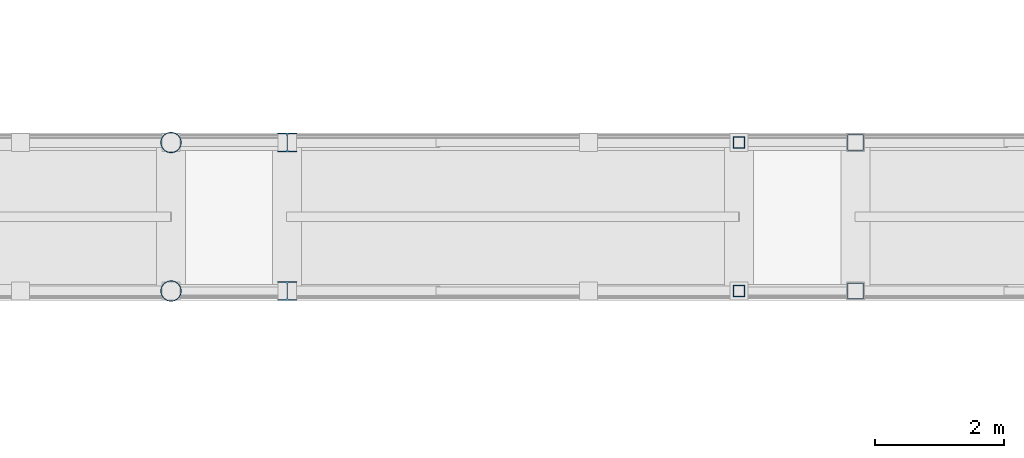
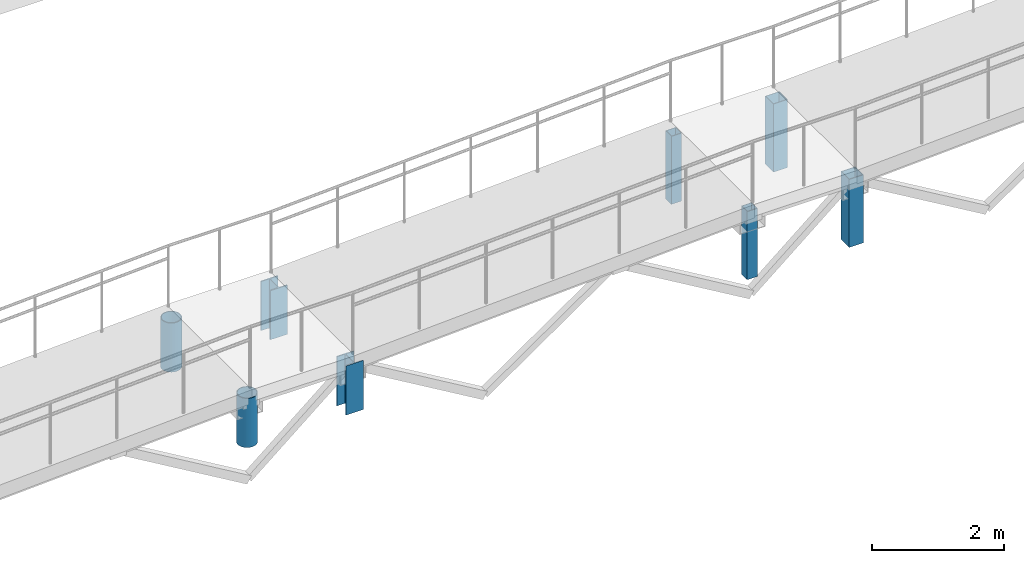
# One storey, part 2 of 41: 8 columns.
"""IFC4 building model written with IfcOpenShell, lengths in metres."""

from ifc_helpers import new_model, si_unit, direction, frame, origin, origin_2d, place, context, subcontext, project, spatial, hollow_rectangle, hollow_circle, i_section, extrude, material, material_profile, profile_set, type_object, element, save


model = new_model("IFC4")

# Units and contexts
model_context = context("Model", 3, precision=1e-05, world=origin(), true_north=direction((0.0, 1.0)))
body_context = subcontext(model_context, "Body", "Model", "MODEL_VIEW")
ifc_project = project(units=[si_unit("LENGTHUNIT", "METRE"), si_unit("AREAUNIT", "SQUARE_METRE"), si_unit("VOLUMEUNIT", "CUBIC_METRE"), si_unit("PLANEANGLEUNIT", "RADIAN"), si_unit("MASSUNIT", "GRAM", prefix="KILO")], contexts=[model_context])

# Site, building, storey
site_placement = place(None, origin())
site = spatial("IfcSite", under=ifc_project, at=site_placement, CompositionType="ELEMENT")
building_placement = place(site_placement, origin())
building = spatial("IfcBuilding", under=site, at=building_placement, Name="Malvenik Polytechnic", CompositionType="ELEMENT")
storey_placement = place(building_placement, frame((0.0, 0.0, 17.699951171875)))
storey = spatial("IfcBuildingStorey", under=building, at=storey_placement, Name="L04", CompositionType="ELEMENT", Elevation=17.699951171875)

# Columns
ifc_material_1 = material(Name="Steel S355J2H", Category="steel")
ifc_material_profile_1 = material_profile(ifc_material_1, hollow_rectangle(XDim=0.25, YDim=0.25, WallThickness=0.010009765625, at=origin_2d()), Name="SHS 250x250x10.0")
ifc_profile_set_1 = profile_set([ifc_material_profile_1], Name="Steel S355J2H")
column_type_1 = type_object("IfcColumnType", Name="STR-SCOL-SC-01", PredefinedType="COLUMN", material=ifc_profile_set_1)
for number, where, z_axis, x_axis, name in (
    (1, (59.199951171875, 103.14990234375, 0.0), (0.0, 0.0, 1.0), (1.0, 0.0, 0.0), "Bridge-Ramp Support Column SC-01 L04"),
    (2, (59.199951171875, 105.449951171875, 0.0), (0.0, 0.0, 1.0), (1.0, 0.0, 0.0), "Bridge-Ramp Support Column SC-01 L04"),
):
    element("IfcColumn", number, at=place(storey_placement, frame(where, z_axis=z_axis, x_axis=x_axis)), inside=storey, type_object=column_type_1, Name=name, PredefinedType="COLUMN", context=body_context, shape_type="SweptSolid", body=[
        extrude(hollow_rectangle(XDim=0.25, YDim=0.25, WallThickness=0.010009765625, at=origin_2d()), origin(), (0.0, 0.0, 1.0), 1.260009765625),
    ])
ifc_material_profile_2 = material_profile(ifc_material_1, hollow_circle(Radius=0.161865234375, WallThickness=0.012451171875, at=origin_2d()), Name="CHS 323.9x12.5")
ifc_profile_set_2 = profile_set([ifc_material_profile_2], Name="Steel S355J2H")
column_type_2 = type_object("IfcColumnType", Name="STR-SCOL-SC-04", PredefinedType="COLUMN", material=ifc_profile_set_2)
for number, where, z_axis, x_axis, name in (
    (3, (48.60009765625, 103.14990234375, 0.0), (0.0, 0.0, 1.0), (1.0, 0.0, 0.0), "Bridge-Ramp Support Column SC-04 L04"),
    (4, (48.60009765625, 105.449951171875, 0.0), (0.0, 0.0, 1.0), (1.0, 0.0, 0.0), "Bridge-Ramp Support Column SC-04 L04"),
):
    element("IfcColumn", number, at=place(storey_placement, frame(where, z_axis=z_axis, x_axis=x_axis)), inside=storey, type_object=column_type_2, Name=name, PredefinedType="COLUMN", context=body_context, shape_type="SweptSolid", body=[
        extrude(hollow_circle(Radius=0.161865234375, WallThickness=0.012451171875, at=origin_2d()), origin(), (0.0, 0.0, 1.0), 0.91015625),
    ])
ifc_material_2 = material(Name="Steel S355", Category="steel")
ifc_material_profile_3 = material_profile(ifc_material_2, i_section(OverallWidth=0.300048828125, OverallDepth=0.300048828125, WebThickness=0.010986328125, FlangeThickness=0.01904296875, FilletRadius=0.027099609375, at=origin_2d()), Name="HEB 300")
ifc_profile_set_3 = profile_set([ifc_material_profile_3], Name="Steel S355")
column_type_3 = type_object("IfcColumnType", Name="STR-SCOL-SC-05", PredefinedType="COLUMN", material=ifc_profile_set_3)
for number, where, z_axis, x_axis, name in (
    (5, (50.39990234375, 103.14990234375, 0.0), (0.0, 0.0, 1.0), (1.0, 0.0, 0.0), "Bridge-Ramp Support Column SC-05 L04"),
    (6, (50.39990234375, 105.449951171875, 0.0), (0.0, 0.0, 1.0), (1.0, 0.0, 0.0), "Bridge-Ramp Support Column SC-05 L04"),
):
    element("IfcColumn", number, at=place(storey_placement, frame(where, z_axis=z_axis, x_axis=x_axis)), inside=storey, type_object=column_type_3, Name=name, PredefinedType="COLUMN", context=body_context, shape_type="SweptSolid", body=[
        extrude(i_section(OverallWidth=0.300048828125, OverallDepth=0.300048828125, WebThickness=0.010986328125, FlangeThickness=0.01904296875, FilletRadius=0.027099609375, at=origin_2d()), origin(), (0.0, 0.0, 1.0), 0.91015625),
    ])
ifc_material_profile_4 = material_profile(ifc_material_1, hollow_rectangle(XDim=0.179931640625, YDim=0.179931640625, WallThickness=0.008056640625, at=origin_2d()), Name="SHS 180x180x8.0")
ifc_profile_set_4 = profile_set([ifc_material_profile_4], Name="Steel S355J2H")
column_type_4 = type_object("IfcColumnType", Name="STR-SCOL-SC-06", PredefinedType="COLUMN", material=ifc_profile_set_4)
for number, where, z_axis, x_axis, name in (
    (7, (57.39990234375, 103.14990234375, 0.0), (0.0, 0.0, 1.0), (1.0, 0.0, 0.0), "Bridge-Ramp Support Column SC-06 L04"),
    (8, (57.39990234375, 105.449951171875, 0.0), (0.0, 0.0, 1.0), (1.0, 0.0, 0.0), "Bridge-Ramp Support Column SC-06 L04"),
):
    element("IfcColumn", number, at=place(storey_placement, frame(where, z_axis=z_axis, x_axis=x_axis)), inside=storey, type_object=column_type_4, Name=name, PredefinedType="COLUMN", context=body_context, shape_type="SweptSolid", body=[
        extrude(hollow_rectangle(XDim=0.179931640625, YDim=0.179931640625, WallThickness=0.008056640625, at=origin_2d()), origin(), (0.0, 0.0, 1.0), 1.260009765625),
    ])

save(model, "model.ifc")
